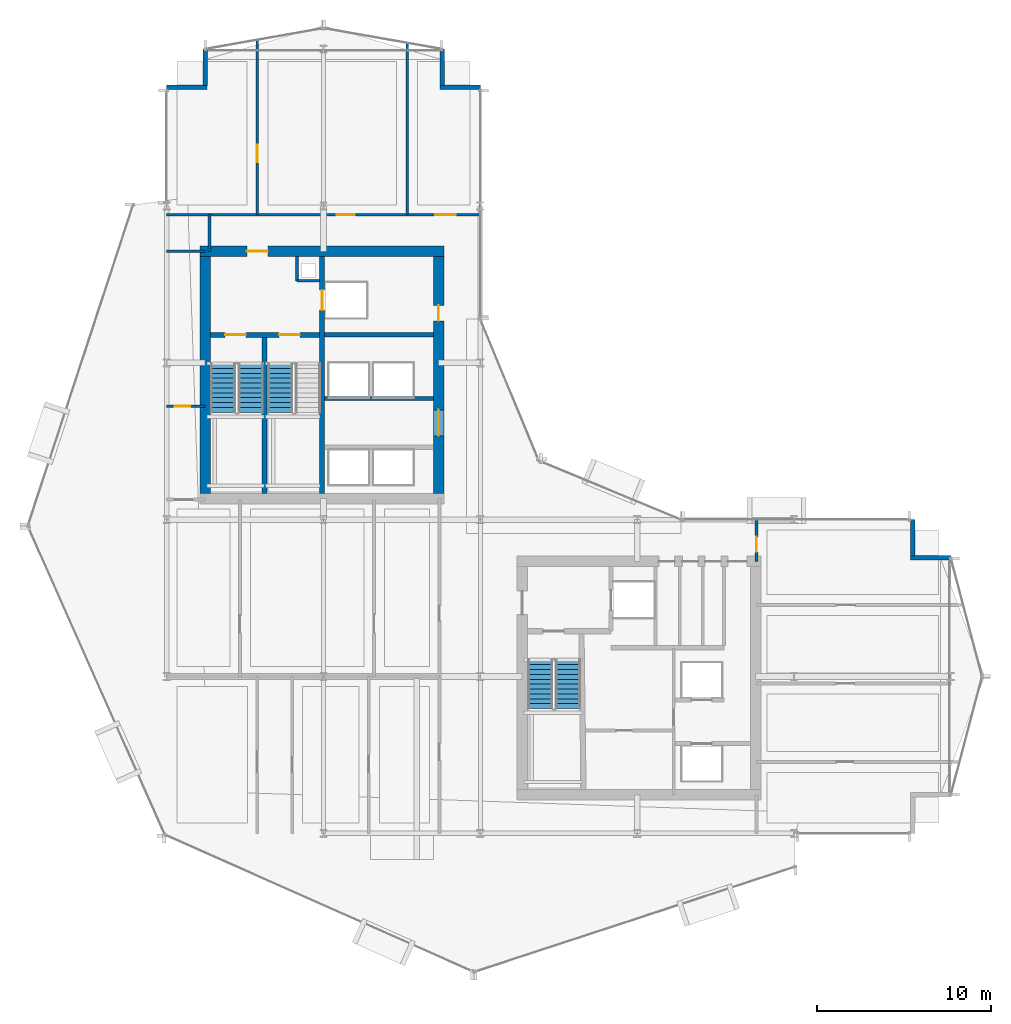
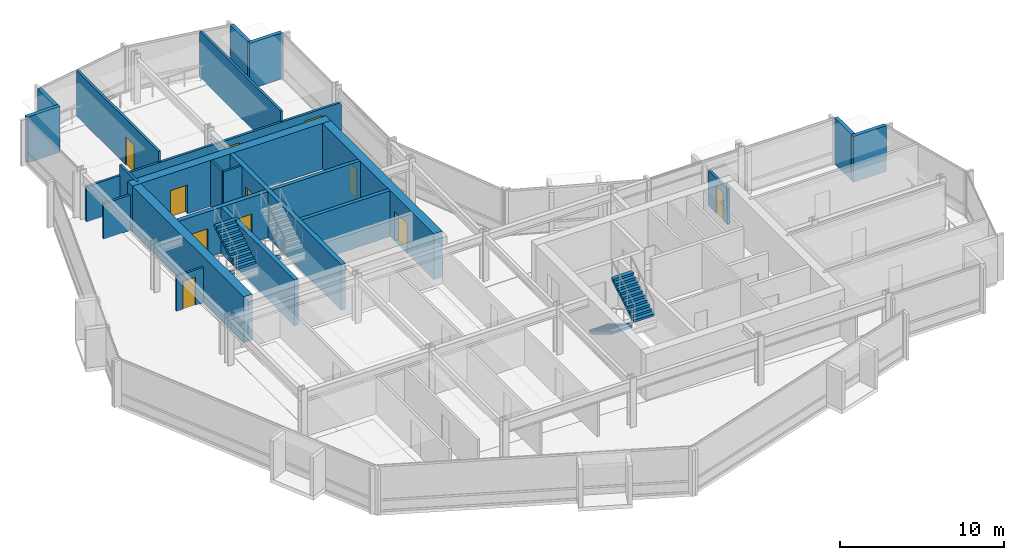
# One storey, part 23 of 29: 23 walls, 11 doors, 5 stair flights, 11 openings, 3 elements without a shape of their own.
"""IFC4 building model written with IfcOpenShell, lengths in metres."""

from ifc_helpers import new_model, si_unit, direction, frame, frame_2d, origin, place, context, subcontext, project, spatial, polyline, rectangle, outline, extrude, material, layer, layer_set, type_object, element, fill, aggregate, save


model = new_model("IFC4")

# Units and contexts
model_context = context("Model", 3, precision=1e-05, world=origin(), true_north=direction((0.0, 1.0)))
body_context = subcontext(model_context, "Body", "Model", "MODEL_VIEW")
ifc_project = project(units=[si_unit("LENGTHUNIT", "METRE"), si_unit("AREAUNIT", "SQUARE_METRE"), si_unit("VOLUMEUNIT", "CUBIC_METRE"), si_unit("PLANEANGLEUNIT", "RADIAN"), si_unit("MASSUNIT", "GRAM", prefix="KILO")], contexts=[model_context])

# Site, building, storey
site_placement = place(None, origin())
site = spatial("IfcSite", under=ifc_project, at=site_placement, CompositionType="ELEMENT")
building_placement = place(site_placement, origin())
building = spatial("IfcBuilding", under=site, at=building_placement, Name="Solvaryn Broadcast Tower", CompositionType="ELEMENT")
storey_placement = place(building_placement, frame((0.0, 0.0, 117.39990234375)))
storey = spatial("IfcBuildingStorey", under=building, at=storey_placement, Name="L28", CompositionType="ELEMENT", Elevation=117.39990234375)

# Wall, opening, door
ifc_material_1 = material(Name="Concrete f'c 70 MPa", Category="concrete")
ifc_layer_1 = layer(ifc_material_1, 0.60009765625)
ifc_layer_set_1 = layer_set([ifc_layer_1], Name="CW-SHEAR-600")
wall_type_1 = type_object("IfcWallType", Name="CW-SHEAR-600", PredefinedType="SHEAR", material=ifc_layer_set_1)
wall_1_placement = place(storey_placement, frame((24.89990234375, 42.39990234375, 0.0), z_axis=(0.0, 0.0, 1.0), x_axis=(-1.0, 0.0, 0.0)))
wall_1 = element("IfcWall", 1, at=wall_1_placement, inside=storey, type_object=wall_type_1, Name="L28 West Core North Shear Wall", PredefinedType="SHEAR", context=body_context, shape_type="SweptSolid", body=[
    extrude(rectangle(XDim=14.0, YDim=0.60009765625, at=frame_2d((7.0, 0.0))), origin(), (0.0, 0.0, 1.0), 3.420166015625),
])
opening_1_placement = place(wall_1_placement, frame((10.10009765625, 0.0, 0.0)))
opening_1 = element("IfcOpeningElement", 2, at=opening_1_placement, cuts=wall_1, Name="Opening FD90A", PredefinedType="OPENING", context=body_context, shape_type="SweptSolid", body=[
    extrude(rectangle(XDim=1.199951171875, YDim=2.14990234375, at=frame_2d((0.60009765625, 1.074951171875))), frame((0.0, 0.31005859375, 0.0), z_axis=(0.0, -1.0, 0.0), x_axis=(1.0, 0.0, 0.0)), (0.0, 0.0, 1.0), 0.6201171875),
])
ifc_material_2 = material(Name="Flush Acoustic Steel and Timber Door Assembly", Category="steel")
door_type_1 = type_object("IfcDoorType", Name="FD90-STAIR-1200X2150", OperationType="NOTDEFINED", PredefinedType="DOOR", material=ifc_material_2)
door_1_placement = place(opening_1_placement, origin())
door_1 = element("IfcDoor", 3, at=door_1_placement, inside=storey, type_object=door_type_1, Name="L28 West FSAE Lobby Corridor Door", OperationType="SINGLE_SWING_LEFT", OverallHeight=2.14990234375, OverallWidth=1.199951171875, PredefinedType="DOOR", context=body_context, shape_type="SweptSolid", body=[
    extrude(rectangle(XDim=1.199951171875, YDim=2.14990234375, at=frame_2d((0.60009765625, 1.074951171875))), frame((0.0, 0.02490234375, 0.0), z_axis=(0.0, -1.0, 0.0), x_axis=(1.0, 0.0, 0.0)), (0.0, 0.0, 1.0), 0.050048828125),
])
fill(opening_1, door_1)

# Wall
wall_2_placement = place(storey_placement, frame((11.199951171875, 42.10009765625, 0.0), z_axis=(0.0, 0.0, 1.0), x_axis=(0.0, -1.0, 0.0)))
element("IfcWall", 4, at=wall_2_placement, inside=storey, type_object=wall_type_1, Name="L28 West Core West Shear Wall", PredefinedType="SHEAR", context=body_context, shape_type="SweptSolid", body=[
    extrude(rectangle(XDim=13.60009765625, YDim=0.60009765625, at=frame_2d((6.800048828125, 0.0))), origin(), (0.0, 0.0, 1.0), 3.420166015625),
])

# Wall, openings, doors
wall_3_placement = place(storey_placement, frame((24.60009765625, 28.5, 0.0), z_axis=(0.0, 0.0, 1.0), x_axis=(0.0, 1.0, 0.0)))
wall_3 = element("IfcWall", 5, at=wall_3_placement, inside=storey, type_object=wall_type_1, Name="L28 West Core East Shear Wall", PredefinedType="SHEAR", context=body_context, shape_type="SweptSolid", body=[
    extrude(rectangle(XDim=13.60009765625, YDim=0.60009765625, at=frame_2d((6.800048828125, 0.0))), origin(), (0.0, 0.0, 1.0), 3.420166015625),
])
opening_2_placement = place(wall_3_placement, frame((3.300048828125, 0.0, 0.0)))
opening_2 = element("IfcOpeningElement", 6, at=opening_2_placement, cuts=wall_3, Name="Opening FD60A", PredefinedType="OPENING", context=body_context, shape_type="SweptSolid", body=[
    extrude(rectangle(XDim=1.5, YDim=2.199951171875, at=frame_2d((0.75, 1.10009765625))), frame((0.0, 0.31005859375, 0.0), z_axis=(0.0, -1.0, 0.0), x_axis=(1.0, 0.0, 0.0)), (0.0, 0.0, 1.0), 0.6201171875),
])
opening_3_placement = place(wall_3_placement, frame((9.89990234375, 0.0, 0.0)))
opening_3 = element("IfcOpeningElement", 7, at=opening_3_placement, cuts=wall_3, Name="Opening FD60C", PredefinedType="OPENING", context=body_context, shape_type="SweptSolid", body=[
    extrude(rectangle(XDim=0.89990234375, YDim=2.10009765625, at=frame_2d((0.449951171875, 1.050048828125))), frame((0.0, 0.31005859375, 0.0), z_axis=(0.0, -1.0, 0.0), x_axis=(1.0, 0.0, 0.0)), (0.0, 0.0, 1.0), 0.6201171875),
])
ifc_material_3 = material(Name="Flush Acoustic Steel and Timber Door Assembly", Category="steel")
door_type_2 = type_object("IfcDoorType", Name="FD60-CORR-1500X2200", OperationType="NOTDEFINED", PredefinedType="DOOR", material=ifc_material_3)
door_2_placement = place(opening_2_placement, origin())
door_2 = element("IfcDoor", 8, at=door_2_placement, inside=storey, type_object=door_type_2, Name="L28 West Elevator Lobby Corridor Door", OperationType="DOUBLE_DOOR_SINGLE_SWING", OverallHeight=2.199951171875, OverallWidth=1.5, PredefinedType="DOOR", context=body_context, shape_type="SweptSolid", body=[
    extrude(rectangle(XDim=1.5, YDim=2.199951171875, at=frame_2d((0.75, 1.10009765625))), frame((0.0, 0.02490234375, 0.0), z_axis=(0.0, -1.0, 0.0), x_axis=(1.0, 0.0, 0.0)), (0.0, 0.0, 1.0), 0.050048828125),
])
fill(opening_2, door_2)
ifc_material_4 = material(Name="Flush Acoustic Steel and Timber Door Assembly", Category="steel")
door_type_3 = type_object("IfcDoorType", Name="FD60-SERV-900X2100", OperationType="NOTDEFINED", PredefinedType="DOOR", material=ifc_material_4)
door_3_placement = place(opening_3_placement, origin())
door_3 = element("IfcDoor", 9, at=door_3_placement, inside=storey, type_object=door_type_3, Name="L28 West Core Service Door 1", OperationType="SINGLE_SWING_LEFT", OverallHeight=2.10009765625, OverallWidth=0.89990234375, PredefinedType="DOOR", context=body_context, shape_type="SweptSolid", body=[
    extrude(rectangle(XDim=0.89990234375, YDim=2.10009765625, at=frame_2d((0.449951171875, 1.050048828125))), frame((0.0, 0.02490234375, 0.0), z_axis=(0.0, -1.0, 0.0), x_axis=(1.0, 0.0, 0.0)), (0.0, 0.0, 1.0), 0.050048828125),
])
fill(opening_3, door_3)

# Walls
ifc_material_5 = material(Name="Concrete f'c 50 MPa", Category="concrete")
ifc_layer_2 = layer(ifc_material_5, 0.260009765625)
ifc_layer_set_2 = layer_set([ifc_layer_2], Name="EW-PIER-260")
wall_type_2 = type_object("IfcWallType", Name="EW-PIER-260", PredefinedType="SOLIDWALL", material=ifc_layer_set_2)
wall_4_placement = place(storey_placement, frame((9.0, 51.800048828125, 0.0), z_axis=(0.0, 0.0, 1.0), x_axis=(1.0, 0.0, 0.0)))
element("IfcWall", 10, at=wall_4_placement, inside=storey, type_object=wall_type_2, Name="L28 Notched Corner Pier Wall NNW1", PredefinedType="SOLIDWALL", context=body_context, shape_type="SweptSolid", body=[
    extrude(rectangle(XDim=2.320068359375, YDim=0.260009765625, at=frame_2d((1.16015625, 0.0))), origin(), (0.0, 0.0, 1.0), 3.420166015625),
])
for number, where, z_axis, x_axis, name in (
    (11, (11.199951171875, 51.919921875, 0.0), (0.0, 0.0, 1.0), (0.0, 1.0, 0.0), "L28 Notched Corner Pier Wall NNW2"),
    (12, (24.800048828125, 54.0, 0.0), (0.0, 0.0, 1.0), (0.0, -1.0, 0.0), "L28 Notched Corner Pier Wall NNE1"),
):
    element("IfcWall", number, at=place(storey_placement, frame(where, z_axis=z_axis, x_axis=x_axis)), inside=storey, type_object=wall_type_2, Name=name, PredefinedType="SOLIDWALL", context=body_context, shape_type="SweptSolid", body=[
        extrude(rectangle(XDim=2.080078125, YDim=0.260009765625, at=frame_2d((1.0400390625, 0.0))), origin(), (0.0, 0.0, 1.0), 3.420166015625),
    ])
for number, where, z_axis, x_axis, name in (
    (13, (24.679931640625, 51.800048828125, 0.0), (0.0, 0.0, 1.0), (1.0, 0.0, 0.0), "L28 Notched Corner Pier Wall NNE2"),
    (14, (54.0, 24.800048828125, 0.0), (0.0, 0.0, 1.0), (-1.0, 0.0, 0.0), "L28 Notched Corner Pier Wall NEE1"),
):
    element("IfcWall", number, at=place(storey_placement, frame(where, z_axis=z_axis, x_axis=x_axis)), inside=storey, type_object=wall_type_2, Name=name, PredefinedType="SOLIDWALL", context=body_context, shape_type="SweptSolid", body=[
        extrude(rectangle(XDim=2.320068359375, YDim=0.260009765625, at=frame_2d((1.16015625, 0.0))), origin(), (0.0, 0.0, 1.0), 3.420166015625),
    ])
wall_5_placement = place(storey_placement, frame((51.800048828125, 24.919921875, 0.0), z_axis=(0.0, 0.0, 1.0), x_axis=(0.0, 1.0, 0.0)))
element("IfcWall", 15, at=wall_5_placement, inside=storey, type_object=wall_type_2, Name="L28 Notched Corner Pier Wall NEE2", PredefinedType="SOLIDWALL", context=body_context, shape_type="SweptSolid", body=[
    extrude(rectangle(XDim=2.080078125, YDim=0.260009765625, at=frame_2d((1.0400390625, 0.0))), origin(), (0.0, 0.0, 1.0), 3.420166015625),
])
ifc_material_6 = material(Name="Metal-Stud Service Core Partition")
ifc_layer_3 = layer(ifc_material_6, 0.14990234375)
ifc_layer_set_3 = layer_set([ifc_layer_3], Name="IW-PART-150")
wall_type_3 = type_object("IfcWallType", Name="IW-PART-150", PredefinedType="PARTITIONING", material=ifc_layer_set_3)
wall_6_placement = place(storey_placement, frame((16.47998046875, 40.699951171875, 0.0), z_axis=(0.0, 0.0, 1.0), x_axis=(1.0, 0.0, 0.0)))
element("IfcWall", 16, at=wall_6_placement, inside=storey, type_object=wall_type_3, Name="L28 West Core Riser Shaft South Wall", PredefinedType="PARTITIONING", context=body_context, shape_type="SweptSolid", body=[
    extrude(rectangle(XDim=1.2900390625, YDim=0.14990234375, at=frame_2d((0.64501953125, 0.0))), origin(), (0.0, 0.0, 1.0), 3.420166015625),
])
wall_7_placement = place(storey_placement, frame((16.47998046875, 40.699951171875, 0.0), z_axis=(0.0, 0.0, 1.0), x_axis=(0.0, 1.0, 0.0)))
element("IfcWall", 17, at=wall_7_placement, inside=storey, type_object=wall_type_3, Name="L28 West Core Riser Shaft West Wall", PredefinedType="PARTITIONING", context=body_context, shape_type="SweptSolid", body=[
    extrude(rectangle(XDim=1.400146484375, YDim=0.14990234375, at=frame_2d((0.7001953125, 0.0))), origin(), (0.0, 0.0, 1.0), 3.420166015625),
])

# Wall, opening, door
wall_8_placement = place(storey_placement, frame((9.0, 33.5, 0.0), z_axis=(0.0, 0.0, 1.0), x_axis=(1.0, 0.0, 0.0)))
wall_8 = element("IfcWall", 18, at=wall_8_placement, inside=storey, type_object=wall_type_3, Name="L28 Interior Partition IW-L28-WM-M", PredefinedType="PARTITIONING", context=body_context, shape_type="SweptSolid", body=[
    extrude(rectangle(XDim=2.199951171875, YDim=0.14990234375, at=frame_2d((1.10009765625, 0.0))), origin(), (0.0, 0.0, 1.0), 2.634033203125),
])
opening_4_placement = place(wall_8_placement, frame((0.449951171875, 0.0, 0.0)))
opening_4 = element("IfcOpeningElement", 19, at=opening_4_placement, cuts=wall_8, Name="Opening FD60C", PredefinedType="OPENING", context=body_context, shape_type="SweptSolid", body=[
    extrude(rectangle(XDim=0.89990234375, YDim=2.10009765625, at=frame_2d((0.449951171875, 1.050048828125))), frame((0.0, 0.0849609375, 0.0), z_axis=(0.0, -1.0, 0.0), x_axis=(1.0, 0.0, 0.0)), (0.0, 0.0, 1.0), 0.169921875),
])
door_4_placement = place(opening_4_placement, origin())
door_4 = element("IfcDoor", 20, at=door_4_placement, inside=storey, type_object=door_type_3, Name="L28 Door DR-L28-WM1", OperationType="SINGLE_SWING_RIGHT", OverallHeight=2.10009765625, OverallWidth=0.89990234375, PredefinedType="DOOR", context=body_context, shape_type="SweptSolid", body=[
    extrude(rectangle(XDim=0.89990234375, YDim=2.10009765625, at=frame_2d((0.449951171875, 1.050048828125))), frame((0.0, 0.02490234375, 0.0), z_axis=(0.0, -1.0, 0.0), x_axis=(1.0, 0.0, 0.0)), (0.0, 0.0, 1.0), 0.050048828125),
])
fill(opening_4, door_4)

# Walls
ifc_material_7 = material(Name="Metal-Stud Gypsum Office Partition")
ifc_layer_4 = layer(ifc_material_7, 0.159912109375)
ifc_layer_set_4 = layer_set([ifc_layer_4], Name="IW-PART-160")
wall_type_4 = type_object("IfcWallType", Name="IW-PART-160", PredefinedType="PARTITIONING", material=ifc_layer_set_4)
wall_9_placement = place(storey_placement, frame((9.0, 42.39990234375, 0.0), z_axis=(0.0, 0.0, 1.0), x_axis=(1.0, 0.0, 0.0)))
element("IfcWall", 21, at=wall_9_placement, inside=storey, type_object=wall_type_4, Name="L28 Interior Partition IW-L28-WM-N", PredefinedType="PARTITIONING", context=body_context, shape_type="SweptSolid", body=[
    extrude(rectangle(XDim=2.199951171875, YDim=0.159912109375, at=frame_2d((1.10009765625, 0.0))), origin(), (0.0, 0.0, 1.0), 2.634033203125),
])
wall_10_placement = place(storey_placement, frame((11.449951171875, 42.39990234375, 0.0), z_axis=(0.0, 0.0, 1.0), x_axis=(0.0, 1.0, 0.0)))
element("IfcWall", 22, at=wall_10_placement, inside=storey, type_object=wall_type_4, Name="L28 Interior Partition IW-L28-WM-E", PredefinedType="PARTITIONING", context=body_context, shape_type="SweptSolid", body=[
    extrude(rectangle(XDim=2.10009765625, YDim=0.159912109375, at=frame_2d((1.050048828125, 0.0))), origin(), (0.0, 0.0, 1.0), 3.420166015625),
])

# Wall, openings, doors
wall_11_placement = place(storey_placement, frame((9.0, 44.5, 0.0), z_axis=(0.0, 0.0, 1.0), x_axis=(1.0, 0.0, 0.0)))
wall_11 = element("IfcWall", 23, at=wall_11_placement, inside=storey, type_object=wall_type_4, Name="L28 Interior Partition IW-L28-NW-SB", PredefinedType="PARTITIONING", context=body_context, shape_type="SweptSolid", body=[
    extrude(rectangle(XDim=18.0, YDim=0.159912109375, at=frame_2d((9.0, 0.0))), origin(), (0.0, 0.0, 1.0), 2.634033203125),
])
opening_5_placement = place(wall_11_placement, frame((9.75, 0.0, 0.0)))
opening_5 = element("IfcOpeningElement", 24, at=opening_5_placement, cuts=wall_11, Name="Opening ID03", PredefinedType="OPENING", context=body_context, shape_type="SweptSolid", body=[
    extrude(rectangle(XDim=1.050048828125, YDim=2.14990234375, at=frame_2d((0.52490234375, 1.074951171875))), frame((0.0, 0.090087890625, 0.0), z_axis=(0.0, -1.0, 0.0), x_axis=(1.0, 0.0, 0.0)), (0.0, 0.0, 1.0), 0.179931640625),
])
opening_6_placement = place(wall_11_placement, frame((15.39990234375, 0.0, 0.0)))
opening_6 = element("IfcOpeningElement", 25, at=opening_6_placement, cuts=wall_11, Name="Opening ID04", PredefinedType="OPENING", context=body_context, shape_type="SweptSolid", body=[
    extrude(rectangle(XDim=1.199951171875, YDim=2.14990234375, at=frame_2d((0.60009765625, 1.074951171875))), frame((0.0, 0.090087890625, 0.0), z_axis=(0.0, -1.0, 0.0), x_axis=(1.0, 0.0, 0.0)), (0.0, 0.0, 1.0), 0.179931640625),
])
ifc_material_8 = material(Name="Flush Acoustic Steel and Timber Door Assembly", Category="steel")
door_type_4 = type_object("IfcDoorType", Name="ID-03-1050X2150", OperationType="NOTDEFINED", PredefinedType="DOOR", material=ifc_material_8)
door_5_placement = place(opening_5_placement, origin())
door_5 = element("IfcDoor", 26, at=door_5_placement, inside=storey, type_object=door_type_4, Name="L28 Door DR-L28-NW-2", OperationType="SINGLE_SWING_LEFT", OverallHeight=2.14990234375, OverallWidth=1.050048828125, PredefinedType="DOOR", context=body_context, shape_type="SweptSolid", body=[
    extrude(rectangle(XDim=1.050048828125, YDim=2.14990234375, at=frame_2d((0.52490234375, 1.074951171875))), frame((0.0, 0.02490234375, 0.0), z_axis=(0.0, -1.0, 0.0), x_axis=(1.0, 0.0, 0.0)), (0.0, 0.0, 1.0), 0.050048828125),
])
fill(opening_5, door_5)
ifc_material_9 = material(Name="Flush Acoustic Steel and Timber Door Assembly", Category="steel")
door_type_5 = type_object("IfcDoorType", Name="ID-04-1200X2150", OperationType="NOTDEFINED", PredefinedType="DOOR", material=ifc_material_9)
door_6_placement = place(opening_6_placement, origin())
door_6 = element("IfcDoor", 27, at=door_6_placement, inside=storey, type_object=door_type_5, Name="L28 Door DR-L28-NW-3", OperationType="SINGLE_SWING_RIGHT", OverallHeight=2.14990234375, OverallWidth=1.199951171875, PredefinedType="DOOR", context=body_context, shape_type="SweptSolid", body=[
    extrude(rectangle(XDim=1.199951171875, YDim=2.14990234375, at=frame_2d((0.60009765625, 1.074951171875))), frame((0.0, 0.02490234375, 0.0), z_axis=(0.0, -1.0, 0.0), x_axis=(1.0, 0.0, 0.0)), (0.0, 0.0, 1.0), 0.050048828125),
])
fill(opening_6, door_6)

# Wall, opening, door
wall_12_placement = place(storey_placement, frame((14.199951171875, 44.5, 0.0), z_axis=(0.0, 0.0, 1.0), x_axis=(0.0, 1.0, 0.0)))
wall_12 = element("IfcWall", 28, at=wall_12_placement, inside=storey, type_object=wall_type_4, Name="L28 Interior Partition IW-L28-NW-V1", PredefinedType="PARTITIONING", context=body_context, shape_type="SweptSolid", body=[
    extrude(rectangle(XDim=10.029052734375, YDim=0.159912109375, at=frame_2d((5.0146484375, 0.0))), origin(), (0.0, 0.0, 1.0), 3.420166015625),
])
opening_7_placement = place(wall_12_placement, frame((3.0, 0.0, 0.0)))
opening_7 = element("IfcOpeningElement", 29, at=opening_7_placement, cuts=wall_12, Name="Opening ID02", PredefinedType="OPENING", context=body_context, shape_type="SweptSolid", body=[
    extrude(rectangle(XDim=1.0, YDim=2.10009765625, at=frame_2d((0.5, 1.050048828125))), frame((0.0, 0.090087890625, 0.0), z_axis=(0.0, -1.0, 0.0), x_axis=(1.0, 0.0, 0.0)), (0.0, 0.0, 1.0), 0.179931640625),
])
ifc_material_10 = material(Name="Flush Acoustic Steel and Timber Door Assembly", Category="steel")
door_type_6 = type_object("IfcDoorType", Name="ID-02-1000X2100", OperationType="NOTDEFINED", PredefinedType="DOOR", material=ifc_material_10)
door_7_placement = place(opening_7_placement, origin())
door_7 = element("IfcDoor", 30, at=door_7_placement, inside=storey, type_object=door_type_6, Name="L28 Door DR-L28-NW-C1", OperationType="SINGLE_SWING_RIGHT", OverallHeight=2.10009765625, OverallWidth=1.0, PredefinedType="DOOR", context=body_context, shape_type="SweptSolid", body=[
    extrude(rectangle(XDim=1.0, YDim=2.10009765625, at=frame_2d((0.5, 1.050048828125))), frame((0.0, 0.02490234375, 0.0), z_axis=(0.0, -1.0, 0.0), x_axis=(1.0, 0.0, 0.0)), (0.0, 0.0, 1.0), 0.050048828125),
])
fill(opening_7, door_7)

# Wall
wall_13_placement = place(storey_placement, frame((22.800048828125, 44.5, 0.0), z_axis=(0.0, 0.0, 1.0), x_axis=(0.0, 1.0, 0.0)))
element("IfcWall", 31, at=wall_13_placement, inside=storey, type_object=wall_type_4, Name="L28 Interior Partition IW-L28-NW-V2", PredefinedType="PARTITIONING", context=body_context, shape_type="SweptSolid", body=[
    extrude(rectangle(XDim=9.85302734375, YDim=0.159912109375, at=frame_2d((4.926513671875, 0.0))), origin(), (0.0, 0.0, 1.0), 3.420166015625),
])

# Wall, opening, door
wall_14_placement = place(storey_placement, frame((42.85009765625, 24.60009765625, 0.0), z_axis=(0.0, 0.0, 1.0), x_axis=(0.0, 1.0, 0.0)))
wall_14 = element("IfcWall", 32, at=wall_14_placement, inside=storey, type_object=wall_type_4, Name="L28 Interior Partition IW-L28-EW-BN", PredefinedType="PARTITIONING", context=body_context, shape_type="SweptSolid", body=[
    extrude(rectangle(XDim=2.39990234375, YDim=0.159912109375, at=frame_2d((1.199951171875, 0.0))), origin(), (0.0, 0.0, 1.0), 2.634033203125),
])
opening_8_placement = place(wall_14_placement, frame((0.550048828125, 0.0, 0.0)))
opening_8 = element("IfcOpeningElement", 33, at=opening_8_placement, cuts=wall_14, Name="Opening ID07", PredefinedType="OPENING", context=body_context, shape_type="SweptSolid", body=[
    extrude(rectangle(XDim=0.860107421875, YDim=2.050048828125, at=frame_2d((0.43017578125, 1.02490234375))), frame((0.0, 0.090087890625, 0.0), z_axis=(0.0, -1.0, 0.0), x_axis=(1.0, 0.0, 0.0)), (0.0, 0.0, 1.0), 0.179931640625),
])
ifc_material_11 = material(Name="Flush Acoustic Steel and Timber Door Assembly", Category="steel")
door_type_7 = type_object("IfcDoorType", Name="ID-07-860X2050", OperationType="NOTDEFINED", PredefinedType="DOOR", material=ifc_material_11)
door_8_placement = place(opening_8_placement, origin())
door_8 = element("IfcDoor", 34, at=door_8_placement, inside=storey, type_object=door_type_7, Name="L28 Door DR-L28-EW0", OperationType="SINGLE_SWING_LEFT", OverallHeight=2.050048828125, OverallWidth=0.860107421875, PredefinedType="DOOR", context=body_context, shape_type="SweptSolid", body=[
    extrude(rectangle(XDim=0.860107421875, YDim=2.050048828125, at=frame_2d((0.43017578125, 1.02490234375))), frame((0.0, 0.02490234375, 0.0), z_axis=(0.0, -1.0, 0.0), x_axis=(1.0, 0.0, 0.0)), (0.0, 0.0, 1.0), 0.050048828125),
])
fill(opening_8, door_8)

# Walls
ifc_material_12 = material(Name="Concrete f'c 60 MPa", Category="concrete")
ifc_layer_5 = layer(ifc_material_12, 0.25)
ifc_layer_set_5 = layer_set([ifc_layer_5], Name="SW-SHAFT-250")
wall_type_5 = type_object("IfcWallType", Name="SW-SHAFT-250", PredefinedType="PARTITIONING", material=ifc_layer_set_5)
for number, where, z_axis, x_axis, name in (
    (35, (18.070068359375, 37.60009765625, 0.0), (0.0, 0.0, 1.0), (1.0, 0.0, 0.0), "L28 West Core FSAE Hoistway Front Wall"),
    (36, (24.300048828125, 33.949951171875, 0.0), (0.0, 0.0, 1.0), (-1.0, 0.0, 0.0), "L28 High-Rise Lift Bank North Wall"),
):
    element("IfcWall", number, at=place(storey_placement, frame(where, z_axis=z_axis, x_axis=x_axis)), inside=storey, type_object=wall_type_5, Name=name, PredefinedType="PARTITIONING", context=body_context, shape_type="SweptSolid", body=[
        extrude(rectangle(XDim=6.22998046875, YDim=0.25, at=frame_2d((3.114990234375, 0.0))), origin(), (0.0, 0.0, 1.0), 3.420166015625),
    ])
ifc_material_13 = material(Name="Concrete f'c 70 MPa", Category="concrete")
ifc_layer_6 = layer(ifc_material_13, 0.300048828125)
ifc_layer_set_6 = layer_set([ifc_layer_6], Name="SW-SHAFT-300")
wall_type_6 = type_object("IfcWallType", Name="SW-SHAFT-300", PredefinedType="SHEAR", material=ifc_layer_set_6)
wall_15_placement = place(storey_placement, frame((14.6201171875, 28.5, 0.0), z_axis=(0.0, 0.0, 1.0), x_axis=(0.0, 1.0, 0.0)))
element("IfcWall", 37, at=wall_15_placement, inside=storey, type_object=wall_type_6, Name="L28 Stair 1-2 Dividing Wall", PredefinedType="SHEAR", context=body_context, shape_type="SweptSolid", body=[
    extrude(rectangle(XDim=8.949951171875, YDim=0.300048828125, at=frame_2d((4.47509765625, 0.0))), origin(), (0.0, 0.0, 1.0), 3.420166015625),
])

# Wall, opening, door
wall_16_placement = place(storey_placement, frame((17.919921875, 42.10009765625, 0.0), z_axis=(0.0, 0.0, 1.0), x_axis=(0.0, -1.0, 0.0)))
wall_16 = element("IfcWall", 38, at=wall_16_placement, inside=storey, type_object=wall_type_6, Name="L28 West Core Stair-Lobby Shear Wall", PredefinedType="SHEAR", context=body_context, shape_type="SweptSolid", body=[
    extrude(rectangle(XDim=13.60009765625, YDim=0.300048828125, at=frame_2d((6.800048828125, 0.0))), origin(), (0.0, 0.0, 1.0), 3.420166015625),
])
opening_9_placement = place(wall_16_placement, frame((1.925048828125, 0.0, 0.0)))
opening_9 = element("IfcOpeningElement", 39, at=opening_9_placement, cuts=wall_16, Name="Opening LD01", PredefinedType="OPENING", context=body_context, shape_type="SweptSolid", body=[
    extrude(rectangle(XDim=1.14990234375, YDim=2.14990234375, at=frame_2d((0.574951171875, 1.074951171875))), frame((0.0, 0.159912109375, 0.0), z_axis=(0.0, -1.0, 0.0), x_axis=(1.0, 0.0, 0.0)), (0.0, 0.0, 1.0), 0.320068359375),
])
ifc_material_14 = material(Name="Flush Acoustic Steel and Timber Door Assembly", Category="steel")
door_type_8 = type_object("IfcDoorType", Name="LD-LIFT-1150X2150", OperationType="NOTDEFINED", PredefinedType="DOOR", material=ifc_material_14)
door_9_placement = place(opening_9_placement, origin())
door_9 = element("IfcDoor", 40, at=door_9_placement, inside=storey, type_object=door_type_8, Name="L28 FL1 Lift Landing Door", OperationType="DOUBLE_DOOR_SLIDING", OverallHeight=2.14990234375, OverallWidth=1.14990234375, PredefinedType="DOOR", context=body_context, shape_type="SweptSolid", body=[
    extrude(rectangle(XDim=1.14990234375, YDim=2.14990234375, at=frame_2d((0.574951171875, 1.074951171875))), frame((0.0, 0.02490234375, 0.0), z_axis=(0.0, -1.0, 0.0), x_axis=(1.0, 0.0, 0.0)), (0.0, 0.0, 1.0), 0.050048828125),
])
fill(opening_9, door_9)

# Wall, openings, doors
wall_17_placement = place(storey_placement, frame((17.77001953125, 37.60009765625, 0.0), z_axis=(0.0, 0.0, 1.0), x_axis=(-1.0, 0.0, 0.0)))
wall_17 = element("IfcWall", 41, at=wall_17_placement, inside=storey, type_object=wall_type_6, Name="L28 West Core FSAE Lobby South Wall", PredefinedType="SHEAR", context=body_context, shape_type="SweptSolid", body=[
    extrude(rectangle(XDim=6.27001953125, YDim=0.300048828125, at=frame_2d((3.135009765625, 0.0))), origin(), (0.0, 0.0, 1.0), 3.420166015625),
])
opening_10_placement = place(wall_17_placement, frame((4.219970703125, 0.0, 0.0)))
opening_10 = element("IfcOpeningElement", 42, at=opening_10_placement, cuts=wall_17, Name="Opening FD90A", PredefinedType="OPENING", context=body_context, shape_type="SweptSolid", body=[
    extrude(rectangle(XDim=1.199951171875, YDim=2.14990234375, at=frame_2d((0.60009765625, 1.074951171875))), frame((0.0, 0.159912109375, 0.0), z_axis=(0.0, -1.0, 0.0), x_axis=(1.0, 0.0, 0.0)), (0.0, 0.0, 1.0), 0.320068359375),
])
opening_11_placement = place(wall_17_placement, frame((1.1201171875, 0.0, 0.0)))
opening_11 = element("IfcOpeningElement", 43, at=opening_11_placement, cuts=wall_17, Name="Opening FD90A", PredefinedType="OPENING", context=body_context, shape_type="SweptSolid", body=[
    extrude(rectangle(XDim=1.199951171875, YDim=2.14990234375, at=frame_2d((0.60009765625, 1.074951171875))), frame((0.0, 0.159912109375, 0.0), z_axis=(0.0, -1.0, 0.0), x_axis=(1.0, 0.0, 0.0)), (0.0, 0.0, 1.0), 0.320068359375),
])
door_10_placement = place(opening_10_placement, origin())
door_10 = element("IfcDoor", 44, at=door_10_placement, inside=storey, type_object=door_type_1, Name="L28 Stair 1 Fire Door", OperationType="SINGLE_SWING_LEFT", OverallHeight=2.14990234375, OverallWidth=1.199951171875, PredefinedType="DOOR", context=body_context, shape_type="SweptSolid", body=[
    extrude(rectangle(XDim=1.199951171875, YDim=2.14990234375, at=frame_2d((0.60009765625, 1.074951171875))), frame((0.0, 0.02490234375, 0.0), z_axis=(0.0, -1.0, 0.0), x_axis=(1.0, 0.0, 0.0)), (0.0, 0.0, 1.0), 0.050048828125),
])
fill(opening_10, door_10)
door_11_placement = place(opening_11_placement, origin())
door_11 = element("IfcDoor", 45, at=door_11_placement, inside=storey, type_object=door_type_1, Name="L28 Stair 2 Fire Door", OperationType="SINGLE_SWING_RIGHT", OverallHeight=2.14990234375, OverallWidth=1.199951171875, PredefinedType="DOOR", context=body_context, shape_type="SweptSolid", body=[
    extrude(rectangle(XDim=1.199951171875, YDim=2.14990234375, at=frame_2d((0.60009765625, 1.074951171875))), frame((0.0, 0.02490234375, 0.0), z_axis=(0.0, -1.0, 0.0), x_axis=(1.0, 0.0, 0.0)), (0.0, 0.0, 1.0), 0.050048828125),
])
fill(opening_11, door_11)

# Stair, stair flights
ifc_material_15 = material(Name="Concrete f'c 60 MPa", Category="concrete")
stair_type = type_object("IfcStairType", Name="ST-CORE", PredefinedType="HALF_TURN_STAIR", material=ifc_material_15)
stair_1_placement = place(storey_placement, origin())
stair_1 = element("IfcStair", 46, at=stair_1_placement, inside=storey, type_object=stair_type, Name="L28 ST1", PredefinedType="HALF_TURN_STAIR")
ifc_material_16 = material(Name="Concrete f'c 60 MPa", Category="concrete")
ifc_layer_7 = layer(ifc_material_16, 0.159912109375)
ifc_layer_set_7 = layer_set([ifc_layer_7], Name="SF-CORE")
stair_flight_type = type_object("IfcStairFlightType", Name="SF-CORE", PredefinedType="STRAIGHT", material=ifc_layer_set_7)
stair_flight_1_placement = place(storey_placement, frame((12.239990234375, 35.9599609375, 0.0), z_axis=(0.0, 0.0, 1.0), x_axis=(0.0, -1.0, 0.0)))
stair_flight_1 = element("IfcStairFlight", 47, at=stair_flight_1_placement, type_object=stair_flight_type, Name="ST1 flight 1", NumberOfRisers=11, NumberOfTreads=10, PredefinedType="STRAIGHT", RiserHeight=0.168181818, TreadLength=0.28, context=body_context, shape_type="SweptSolid", body=[
    extrude(outline(polyline([(0.0, 0.0), (0.0, 0.168212890625), (0.280029296875, 0.168212890625), (0.280029296875, 0.33642578125), (0.56005859375, 0.33642578125), (0.56005859375, 0.504638671875), (0.840087890625, 0.504638671875), (0.840087890625, 0.672607421875), (1.1201171875, 0.672607421875), (1.1201171875, 0.8408203125), (1.39990234375, 0.8408203125), (1.39990234375, 1.009033203125), (1.679931640625, 1.009033203125), (1.679931640625, 1.17724609375), (1.9599609375, 1.17724609375), (1.9599609375, 1.345458984375), (2.239990234375, 1.345458984375), (2.239990234375, 1.513671875), (2.52001953125, 1.513671875), (2.52001953125, 1.681884765625), (2.800048828125, 1.681884765625), (2.800048828125, 1.85009765625), (2.800048828125, 1.5068359375), (0.291015625, 0.0), (0.0, 0.0)])), frame((0.0, 0.719970703125, 0.0), z_axis=(0.0, -1.0, 0.0), x_axis=(1.0, 0.0, 0.0)), (0.0, 0.0, 1.0), 1.43994140625),
])
stair_flight_2_placement = place(storey_placement, frame((13.830078125, 33.159912109375, 1.85009765625), z_axis=(0.0, 0.0, 1.0), x_axis=(0.0, 1.0, 0.0)))
stair_flight_2 = element("IfcStairFlight", 48, at=stair_flight_2_placement, type_object=stair_flight_type, Name="ST1 flight 2", NumberOfRisers=11, NumberOfTreads=10, PredefinedType="STRAIGHT", RiserHeight=0.168181818, TreadLength=0.28, context=body_context, shape_type="SweptSolid", body=[
    extrude(outline(polyline([(0.0, 0.0), (0.0, 0.168212890625), (0.280029296875, 0.168212890625), (0.280029296875, 0.33642578125), (0.56005859375, 0.33642578125), (0.56005859375, 0.504638671875), (0.840087890625, 0.504638671875), (0.840087890625, 0.672607421875), (1.1201171875, 0.672607421875), (1.1201171875, 0.8408203125), (1.39990234375, 0.8408203125), (1.39990234375, 1.009033203125), (1.679931640625, 1.009033203125), (1.679931640625, 1.17724609375), (1.9599609375, 1.17724609375), (1.9599609375, 1.345458984375), (2.239990234375, 1.345458984375), (2.239990234375, 1.513671875), (2.52001953125, 1.513671875), (2.52001953125, 1.681884765625), (2.800048828125, 1.681884765625), (2.800048828125, 1.85009765625), (2.800048828125, 1.5068359375), (0.291015625, 0.0), (0.0, 0.0)])), frame((0.0, 0.719970703125, 0.0), z_axis=(0.0, -1.0, 0.0), x_axis=(1.0, 0.0, 0.0)), (0.0, 0.0, 1.0), 1.43994140625),
])
aggregate(stair_1, [stair_flight_1, stair_flight_2])

# Stair, stair flight
stair_2_placement = place(storey_placement, origin())
stair_2 = element("IfcStair", 49, at=stair_2_placement, inside=storey, type_object=stair_type, Name="L28 ST2", PredefinedType="HALF_TURN_STAIR")
stair_flight_3_placement = place(storey_placement, frame((15.52001953125, 35.9599609375, 0.0), z_axis=(0.0, 0.0, 1.0), x_axis=(0.0, -1.0, 0.0)))
stair_flight_3 = element("IfcStairFlight", 50, at=stair_flight_3_placement, type_object=stair_flight_type, Name="ST2 flight 1", NumberOfRisers=11, NumberOfTreads=10, PredefinedType="STRAIGHT", RiserHeight=0.168181818, TreadLength=0.28, context=body_context, shape_type="SweptSolid", body=[
    extrude(outline(polyline([(0.0, 0.0), (0.0, 0.168212890625), (0.280029296875, 0.168212890625), (0.280029296875, 0.33642578125), (0.56005859375, 0.33642578125), (0.56005859375, 0.504638671875), (0.840087890625, 0.504638671875), (0.840087890625, 0.672607421875), (1.1201171875, 0.672607421875), (1.1201171875, 0.8408203125), (1.39990234375, 0.8408203125), (1.39990234375, 1.009033203125), (1.679931640625, 1.009033203125), (1.679931640625, 1.17724609375), (1.9599609375, 1.17724609375), (1.9599609375, 1.345458984375), (2.239990234375, 1.345458984375), (2.239990234375, 1.513671875), (2.52001953125, 1.513671875), (2.52001953125, 1.681884765625), (2.800048828125, 1.681884765625), (2.800048828125, 1.85009765625), (2.800048828125, 1.5068359375), (0.291015625, 0.0), (0.0, 0.0)])), frame((0.0, 0.719970703125, 0.0), z_axis=(0.0, -1.0, 0.0), x_axis=(1.0, 0.0, 0.0)), (0.0, 0.0, 1.0), 1.43994140625),
])
aggregate(stair_2, [stair_flight_3])

# Stair, stair flights
stair_3_placement = place(storey_placement, origin())
stair_3 = element("IfcStair", 51, at=stair_3_placement, inside=storey, type_object=stair_type, Name="L28 ST3", PredefinedType="HALF_TURN_STAIR")
stair_flight_4_placement = place(storey_placement, frame((30.43994140625, 18.9599609375, 0.0), z_axis=(0.0, 0.0, 1.0), x_axis=(0.0, -1.0, 0.0)))
stair_flight_4 = element("IfcStairFlight", 52, at=stair_flight_4_placement, type_object=stair_flight_type, Name="ST3 flight 1", NumberOfRisers=11, NumberOfTreads=10, PredefinedType="STRAIGHT", RiserHeight=0.168181818, TreadLength=0.28, context=body_context, shape_type="SweptSolid", body=[
    extrude(outline(polyline([(0.0, 0.0), (0.0, 0.168212890625), (0.280029296875, 0.168212890625), (0.280029296875, 0.33642578125), (0.56005859375, 0.33642578125), (0.56005859375, 0.504638671875), (0.840087890625, 0.504638671875), (0.840087890625, 0.672607421875), (1.1201171875, 0.672607421875), (1.1201171875, 0.8408203125), (1.39990234375, 0.8408203125), (1.39990234375, 1.009033203125), (1.679931640625, 1.009033203125), (1.679931640625, 1.17724609375), (1.9599609375, 1.17724609375), (1.9599609375, 1.345458984375), (2.239990234375, 1.345458984375), (2.239990234375, 1.513671875), (2.52001953125, 1.513671875), (2.52001953125, 1.681884765625), (2.800048828125, 1.681884765625), (2.800048828125, 1.85009765625), (2.800048828125, 1.5068359375), (0.291015625, 0.0), (0.0, 0.0)])), frame((0.0, 0.719970703125, 0.0), z_axis=(0.0, -1.0, 0.0), x_axis=(1.0, 0.0, 0.0)), (0.0, 0.0, 1.0), 1.43994140625),
])
stair_flight_5_placement = place(storey_placement, frame((32.030029296875, 16.159912109375, 1.85009765625), z_axis=(0.0, 0.0, 1.0), x_axis=(0.0, 1.0, 0.0)))
stair_flight_5 = element("IfcStairFlight", 53, at=stair_flight_5_placement, type_object=stair_flight_type, Name="ST3 flight 2", NumberOfRisers=11, NumberOfTreads=10, PredefinedType="STRAIGHT", RiserHeight=0.168181818, TreadLength=0.28, context=body_context, shape_type="SweptSolid", body=[
    extrude(outline(polyline([(0.0, 0.0), (0.0, 0.168212890625), (0.280029296875, 0.168212890625), (0.280029296875, 0.33642578125), (0.56005859375, 0.33642578125), (0.56005859375, 0.504638671875), (0.840087890625, 0.504638671875), (0.840087890625, 0.672607421875), (1.1201171875, 0.672607421875), (1.1201171875, 0.8408203125), (1.39990234375, 0.8408203125), (1.39990234375, 1.009033203125), (1.679931640625, 1.009033203125), (1.679931640625, 1.17724609375), (1.9599609375, 1.17724609375), (1.9599609375, 1.345458984375), (2.239990234375, 1.345458984375), (2.239990234375, 1.513671875), (2.52001953125, 1.513671875), (2.52001953125, 1.681884765625), (2.800048828125, 1.681884765625), (2.800048828125, 1.85009765625), (2.800048828125, 1.5068359375), (0.291015625, 0.0), (0.0, 0.0)])), frame((0.0, 0.719970703125, 0.0), z_axis=(0.0, -1.0, 0.0), x_axis=(1.0, 0.0, 0.0)), (0.0, 0.0, 1.0), 1.43994140625),
])
aggregate(stair_3, [stair_flight_4, stair_flight_5])

save(model, "model.ifc")
